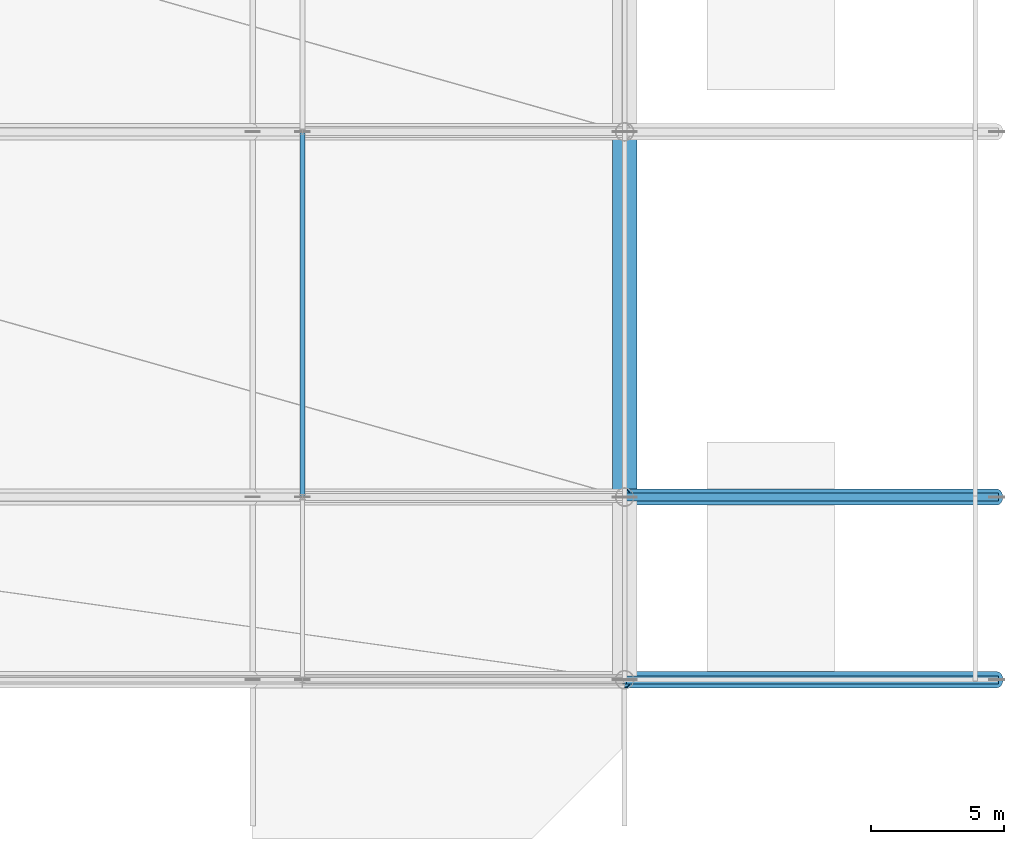
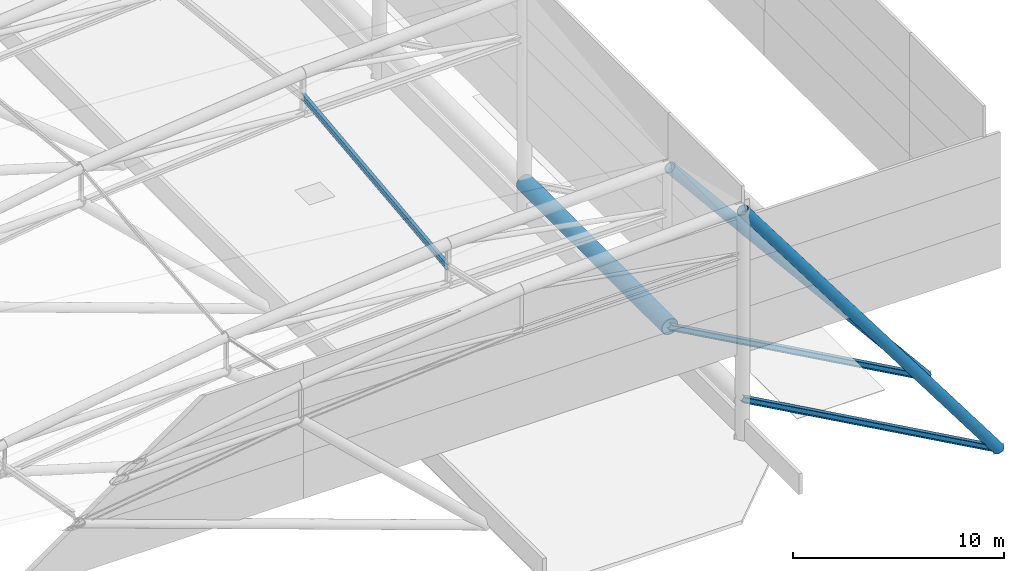
# One storey, part 37 of 113: 5 members, 1 beam.
"""IFC4 building model written with IfcOpenShell, lengths in metres."""

from ifc_helpers import new_model, si_unit, direction, frame, origin, origin_2d, place, context, subcontext, project, spatial, hollow_circle, i_section, extrude, material, material_profile, profile_set, type_object, element, save


model = new_model("IFC4")

# Units and contexts
model_context = context("Model", 3, precision=1e-05, world=origin(), true_north=direction((0.0, 1.0)))
body_context = subcontext(model_context, "Body", "Model", "MODEL_VIEW")
ifc_project = project(units=[si_unit("LENGTHUNIT", "METRE"), si_unit("AREAUNIT", "SQUARE_METRE"), si_unit("VOLUMEUNIT", "CUBIC_METRE"), si_unit("PLANEANGLEUNIT", "RADIAN"), si_unit("MASSUNIT", "GRAM", prefix="KILO")], contexts=[model_context])

# Site, building, storey
site_placement = place(None, origin())
site = spatial("IfcSite", under=ifc_project, at=site_placement, CompositionType="ELEMENT")
building_placement = place(site_placement, origin())
building = spatial("IfcBuilding", under=site, at=building_placement, Name="Linyun Crest Stadium", CompositionType="ELEMENT")
storey_placement = place(building_placement, frame((0.0, 0.0, 26.39990234375)))
storey = spatial("IfcBuildingStorey", under=building, at=storey_placement, Name="L06", CompositionType="ELEMENT", Elevation=26.39990234375)

# Beam
ifc_material_1 = material(Name="Steel Q420C", Category="steel")
ifc_material_profile_1 = material_profile(ifc_material_1, hollow_circle(Radius=0.45703125, WallThickness=0.0380859375, at=origin_2d()), Name="CHS 914x38")
ifc_profile_set_1 = profile_set([ifc_material_profile_1], Name="Steel Q420C")
beam_type = type_object("IfcBeamType", Name="HB02", PredefinedType="USERDEFINED", material=ifc_profile_set_1)
beam_placement = place(storey_placement, frame((84.0, -39.125, 2.18505859375), z_axis=(0.0, 1.0, 0.0), x_axis=(-1.0, 0.0, 0.0)))
element("IfcBeam", 1, at=beam_placement, inside=storey, type_object=beam_type, Name="Roof Outer compression ring beam HB02 V2 18", ObjectType="RING BEAM", PredefinedType="USERDEFINED", context=body_context, shape_type="SweptSolid", body=[
    extrude(hollow_circle(Radius=0.45703125, WallThickness=0.0380859375, at=origin_2d()), origin(), (0.0, 0.0, 1.0), 13.75),
])

# Members
ifc_material_2 = material(Name="Steel Q355B", Category="steel")
ifc_material_profile_2 = material_profile(ifc_material_2, i_section(OverallWidth=0.175048828125, OverallDepth=0.35009765625, WebThickness=0.007080078125, FlangeThickness=0.010986328125, at=origin_2d()), Name="HN 350x175")
ifc_profile_set_2 = profile_set([ifc_material_profile_2], Name="Steel Q355B")
member_type_1 = type_object("IfcMemberType", Name="PR02", PredefinedType="PURLIN", material=ifc_profile_set_2)
member_1_placement = place(storey_placement, frame((71.875, -39.125, 9.88916015625), z_axis=(0.0, 0.993690086648, 0.112160651293), x_axis=(-1.0, 0.0, 0.0)))
element("IfcMember", 2, at=member_1_placement, inside=storey, type_object=member_type_1, Name="Roof canopy purlin PR02 V2 337", PredefinedType="PURLIN", context=body_context, shape_type="SweptSolid", body=[
    extrude(i_section(OverallWidth=0.175048828125, OverallDepth=0.35009765625, WebThickness=0.007080078125, FlangeThickness=0.010986328125, at=origin_2d()), origin(), (0.0, 0.0, 1.0), 13.83740234375),
])
ifc_material_3 = material(Name="Steel Q420C", Category="steel")
ifc_material_profile_3 = material_profile(ifc_material_3, hollow_circle(Radius=0.304931640625, WallThickness=0.030029296875, at=origin_2d()), Name="CHS 610x30")
ifc_profile_set_3 = profile_set([ifc_material_profile_3], Name="Steel Q420C")
member_type_2 = type_object("IfcMemberType", Name="TC02", PredefinedType="CHORD", material=ifc_profile_set_3)
member_2_placement = place(storey_placement, frame((84.0, -46.0, 13.10009765625), z_axis=(0.599315851655, 0.0, -0.800512654463), x_axis=(0.0, 1.0, 0.0)))
element("IfcMember", 3, at=member_2_placement, inside=storey, type_object=member_type_2, Name="Roof truss back-stay chord TC02 V2 181", PredefinedType="CHORD", context=body_context, shape_type="SweptSolid", body=[
    extrude(hollow_circle(Radius=0.304931640625, WallThickness=0.030029296875, at=origin_2d()), origin(), (0.0, 0.0, 1.0), 23.35986328125),
])
member_3_placement = place(storey_placement, frame((84.0, -39.125, 11.400146484375), z_axis=(0.635707252861, 0.0, -0.771930235617), x_axis=(0.0, 1.0, 0.0)))
element("IfcMember", 4, at=member_3_placement, inside=storey, type_object=member_type_2, Name="Roof truss back-stay chord TC02 V2 200", PredefinedType="CHORD", context=body_context, shape_type="SweptSolid", body=[
    extrude(hollow_circle(Radius=0.304931640625, WallThickness=0.030029296875, at=origin_2d()), origin(), (0.0, 0.0, 1.0), 22.022705078125),
])
ifc_material_4 = material(Name="Steel Q355C", Category="steel")
ifc_material_profile_4 = material_profile(ifc_material_4, i_section(OverallWidth=0.300048828125, OverallDepth=0.300048828125, WebThickness=0.010009765625, FlangeThickness=0.014892578125, at=origin_2d()), Name="HW 300x300")
ifc_profile_set_4 = profile_set([ifc_material_profile_4], Name="Steel Q355C")
member_type_3 = type_object("IfcMemberType", Name="TC03", PredefinedType="CHORD", material=ifc_profile_set_4)
for number, where, z_axis, x_axis, name in (
    (5, (84.0, -46.0, 2.18505859375), (0.873968137748, 0.0, -0.485983224197), (0.0, 1.0, 0.0), "Roof truss lower back-span chord TC03 V2 182"),
    (6, (84.0, -39.125, 2.18505859375), (0.873968137748, 0.0, -0.485983224197), (0.0, 1.0, 0.0), "Roof truss lower back-span chord TC03 V2 201"),
):
    element("IfcMember", number, at=place(storey_placement, frame(where, z_axis=z_axis, x_axis=x_axis)), inside=storey, type_object=member_type_3, Name=name, PredefinedType="CHORD", context=body_context, shape_type="SweptSolid", body=[
        extrude(i_section(OverallWidth=0.300048828125, OverallDepth=0.300048828125, WebThickness=0.010009765625, FlangeThickness=0.014892578125, at=origin_2d()), origin(), (0.0, 0.0, 1.0), 16.018798828125),
    ])

save(model, "model.ifc")
